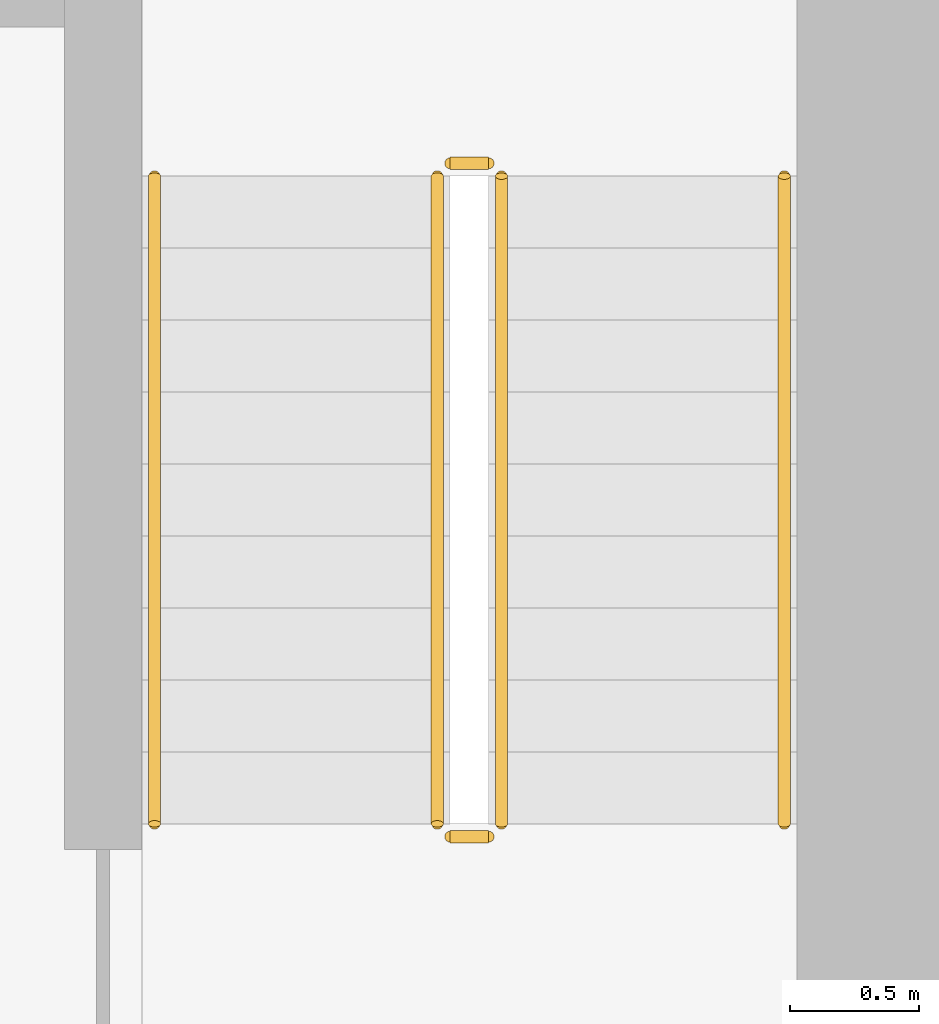
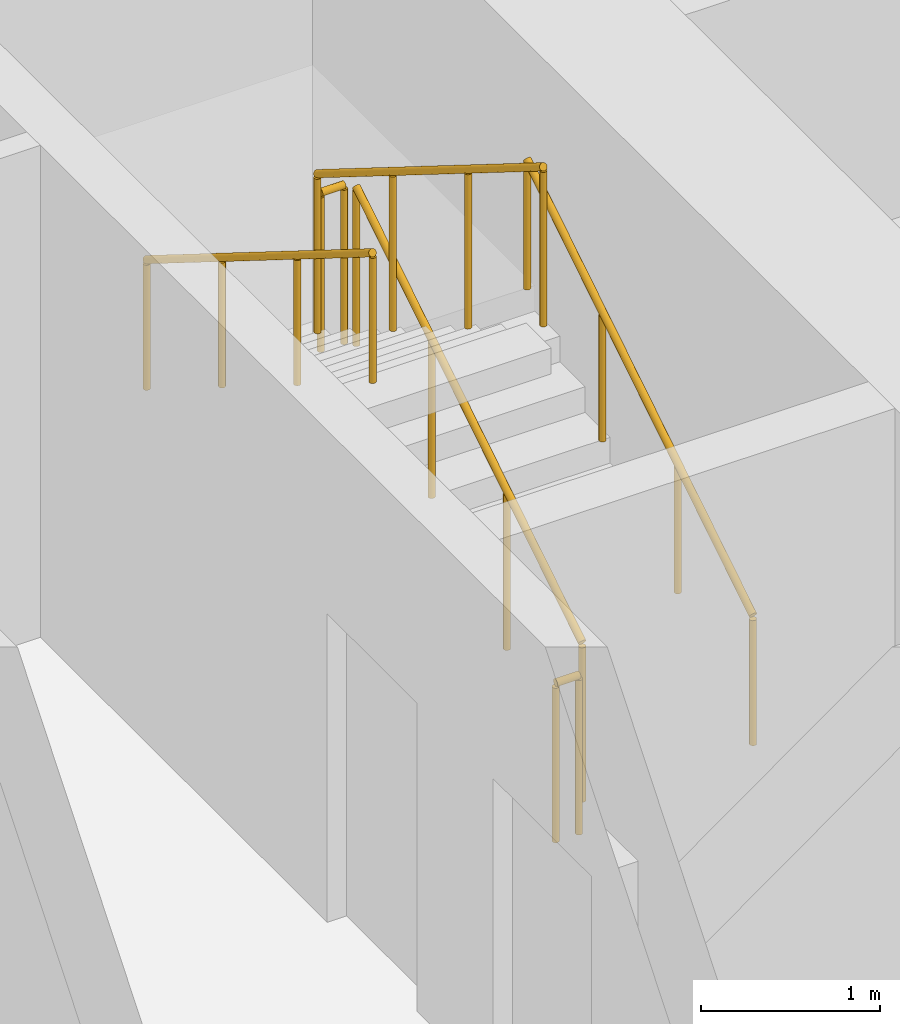
# One storey, part 11 of 11: 6 railings.
"""IFC4 building model written with IfcOpenShell, lengths in metres."""

from ifc_helpers import new_model, si_unit, direction, frame, origin, origin_2d, place, context, subcontext, project, spatial, circle, extrude, material, type_object, element, save


model = new_model("IFC4")

# Units and contexts
model_context = context("Model", 3, precision=1e-05, world=origin(), true_north=direction((0.0, 1.0)))
body_context = subcontext(model_context, "Body", "Model", "MODEL_VIEW")
ifc_project = project(units=[si_unit("LENGTHUNIT", "METRE"), si_unit("AREAUNIT", "SQUARE_METRE"), si_unit("VOLUMEUNIT", "CUBIC_METRE"), si_unit("PLANEANGLEUNIT", "RADIAN"), si_unit("MASSUNIT", "GRAM", prefix="KILO")], contexts=[model_context])

# Site, building, storey
site_placement = place(None, origin())
site = spatial("IfcSite", under=ifc_project, at=site_placement, CompositionType="ELEMENT")
building_placement = place(site_placement, origin())
building = spatial("IfcBuilding", under=site, at=building_placement, Name="Aloe Facet Convention Tower", CompositionType="ELEMENT")
storey_placement = place(building_placement, frame((0.0, 0.0, 38.5)))
storey = spatial("IfcBuildingStorey", under=building, at=storey_placement, Name="L07", CompositionType="ELEMENT", Elevation=38.5)

# Railings
ifc_material_1 = material(Name="Steel S355 balustrade", Category="steel")
railing_type_1 = type_object("IfcRailingType", Name="CR-RL-GUARD", PredefinedType="GUARDRAIL", material=ifc_material_1)
railing_1_placement = place(storey_placement, frame((89.25, 128.949951171875, 0.175048828125)))
element("IfcRailing", 1, at=railing_1_placement, inside=storey, type_object=railing_type_1, Name="L07 ST2 stair guard 1", PredefinedType="GUARDRAIL", context=body_context, shape_type="SweptSolid", body=[
    extrude(circle(Radius=0.02392578125, at=origin_2d()), frame((0.0, 0.0, 1.076171875), z_axis=(0.0, 0.848007534815, 0.529984170421), x_axis=(-1.0, 0.0, 0.0)), (0.0, 0.0, 1.0), 2.9716796875),
    extrude(circle(Radius=0.02099609375, at=origin_2d()), origin(), (0.0, 0.0, 1.0), 1.052001953125),
    extrude(circle(Radius=0.02099609375, at=origin_2d()), frame((0.0, 0.840087890625, 0.52490234375)), (0.0, 0.0, 1.0), 1.052001953125),
    extrude(circle(Radius=0.02099609375, at=origin_2d()), frame((0.0, 1.679931640625, 1.050048828125)), (0.0, 0.0, 1.0), 1.052001953125),
    extrude(circle(Radius=0.02099609375, at=origin_2d()), frame((0.0, 2.52001953125, 1.574951171875)), (0.0, 0.0, 1.0), 1.052001953125),
])
railing_2_placement = place(storey_placement, frame((89.199951171875, 131.52001953125, 1.75)))
element("IfcRailing", 2, at=railing_2_placement, inside=storey, type_object=railing_type_1, Name="L07 ST2 stair guard 2", PredefinedType="GUARDRAIL", context=body_context, shape_type="SweptSolid", body=[
    extrude(circle(Radius=0.02392578125, at=origin_2d()), frame((0.0, 0.0, 1.076171875), z_axis=(-1.0, 0.0, 0.0), x_axis=(0.0, -1.0, 0.0)), (0.0, 0.0, 1.0), 0.14990234375),
    extrude(circle(Radius=0.02099609375, at=origin_2d()), origin(), (0.0, 0.0, 1.0), 1.052001953125),
    extrude(circle(Radius=0.02099609375, at=origin_2d()), frame((-0.14990234375, 0.0, 0.0)), (0.0, 0.0, 1.0), 1.052001953125),
])
railing_3_placement = place(storey_placement, frame((89.0, 131.469970703125, 1.925048828125)))
element("IfcRailing", 3, at=railing_3_placement, inside=storey, type_object=railing_type_1, Name="L07 ST2 stair guard 3", PredefinedType="GUARDRAIL", context=body_context, shape_type="SweptSolid", body=[
    extrude(circle(Radius=0.02392578125, at=origin_2d()), frame((0.0, 0.0, 1.076171875), z_axis=(0.0, -0.848007534815, 0.529984170421), x_axis=(1.0, 0.0, 0.0)), (0.0, 0.0, 1.0), 2.9716796875),
    extrude(circle(Radius=0.02099609375, at=origin_2d()), origin(), (0.0, 0.0, 1.0), 1.052001953125),
    extrude(circle(Radius=0.02099609375, at=origin_2d()), frame((0.0, -0.840087890625, 0.52490234375)), (0.0, 0.0, 1.0), 1.052001953125),
    extrude(circle(Radius=0.02099609375, at=origin_2d()), frame((0.0, -1.679931640625, 1.050048828125)), (0.0, 0.0, 1.0), 1.052001953125),
    extrude(circle(Radius=0.02099609375, at=origin_2d()), frame((0.0, -2.52001953125, 1.574951171875)), (0.0, 0.0, 1.0), 1.052001953125),
])
railing_4_placement = place(storey_placement, frame((89.199951171875, 128.89990234375, 0.0)))
element("IfcRailing", 4, at=railing_4_placement, inside=storey, type_object=railing_type_1, Name="L07 ST2 stair guard 4", PredefinedType="GUARDRAIL", context=body_context, shape_type="SweptSolid", body=[
    extrude(circle(Radius=0.02392578125, at=origin_2d()), frame((0.0, 0.0, 1.076171875), z_axis=(-1.0, 0.0, 0.0), x_axis=(0.0, -1.0, 0.0)), (0.0, 0.0, 1.0), 0.14990234375),
    extrude(circle(Radius=0.02099609375, at=origin_2d()), origin(), (0.0, 0.0, 1.0), 1.052001953125),
    extrude(circle(Radius=0.02099609375, at=origin_2d()), frame((-0.14990234375, 0.0, 0.0)), (0.0, 0.0, 1.0), 1.052001953125),
])
ifc_material_2 = material(Name="Steel S355 handrail", Category="steel")
railing_type_2 = type_object("IfcRailingType", Name="CR-RL-HAND", PredefinedType="HANDRAIL", material=ifc_material_2)
railing_5_placement = place(storey_placement, frame((90.35009765625, 128.949951171875, 0.175048828125)))
element("IfcRailing", 5, at=railing_5_placement, inside=storey, type_object=railing_type_2, Name="L07 ST2 stair handrail 1", PredefinedType="HANDRAIL", context=body_context, shape_type="SweptSolid", body=[
    extrude(circle(Radius=0.02392578125, at=origin_2d()), frame((0.0, 0.0, 0.8759765625), z_axis=(0.0, 0.848007534815, 0.529984170421), x_axis=(-1.0, 0.0, 0.0)), (0.0, 0.0, 1.0), 2.9716796875),
    extrude(circle(Radius=0.02099609375, at=origin_2d()), origin(), (0.0, 0.0, 1.0), 0.851806640625),
    extrude(circle(Radius=0.02099609375, at=origin_2d()), frame((0.0, 0.840087890625, 0.52490234375)), (0.0, 0.0, 1.0), 0.851806640625),
    extrude(circle(Radius=0.02099609375, at=origin_2d()), frame((0.0, 1.679931640625, 1.050048828125)), (0.0, 0.0, 1.0), 0.851806640625),
    extrude(circle(Radius=0.02099609375, at=origin_2d()), frame((0.0, 2.52001953125, 1.574951171875)), (0.0, 0.0, 1.0), 0.851806640625),
])
railing_6_placement = place(storey_placement, frame((87.89990234375, 131.469970703125, 1.925048828125)))
element("IfcRailing", 6, at=railing_6_placement, inside=storey, type_object=railing_type_2, Name="L07 ST2 stair handrail 2", PredefinedType="HANDRAIL", context=body_context, shape_type="SweptSolid", body=[
    extrude(circle(Radius=0.02392578125, at=origin_2d()), frame((0.0, 0.0, 0.8759765625), z_axis=(0.0, -0.848007534815, 0.529984170421), x_axis=(1.0, 0.0, 0.0)), (0.0, 0.0, 1.0), 2.9716796875),
    extrude(circle(Radius=0.02099609375, at=origin_2d()), origin(), (0.0, 0.0, 1.0), 0.851806640625),
    extrude(circle(Radius=0.02099609375, at=origin_2d()), frame((0.0, -0.840087890625, 0.52490234375)), (0.0, 0.0, 1.0), 0.851806640625),
    extrude(circle(Radius=0.02099609375, at=origin_2d()), frame((0.0, -1.679931640625, 1.050048828125)), (0.0, 0.0, 1.0), 0.851806640625),
    extrude(circle(Radius=0.02099609375, at=origin_2d()), frame((0.0, -2.52001953125, 1.574951171875)), (0.0, 0.0, 1.0), 0.851806640625),
])

save(model, "model.ifc")
